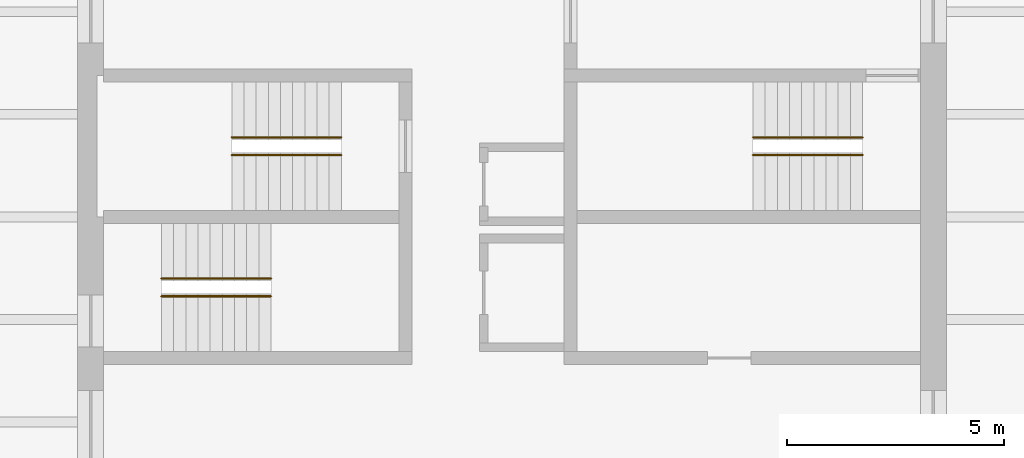
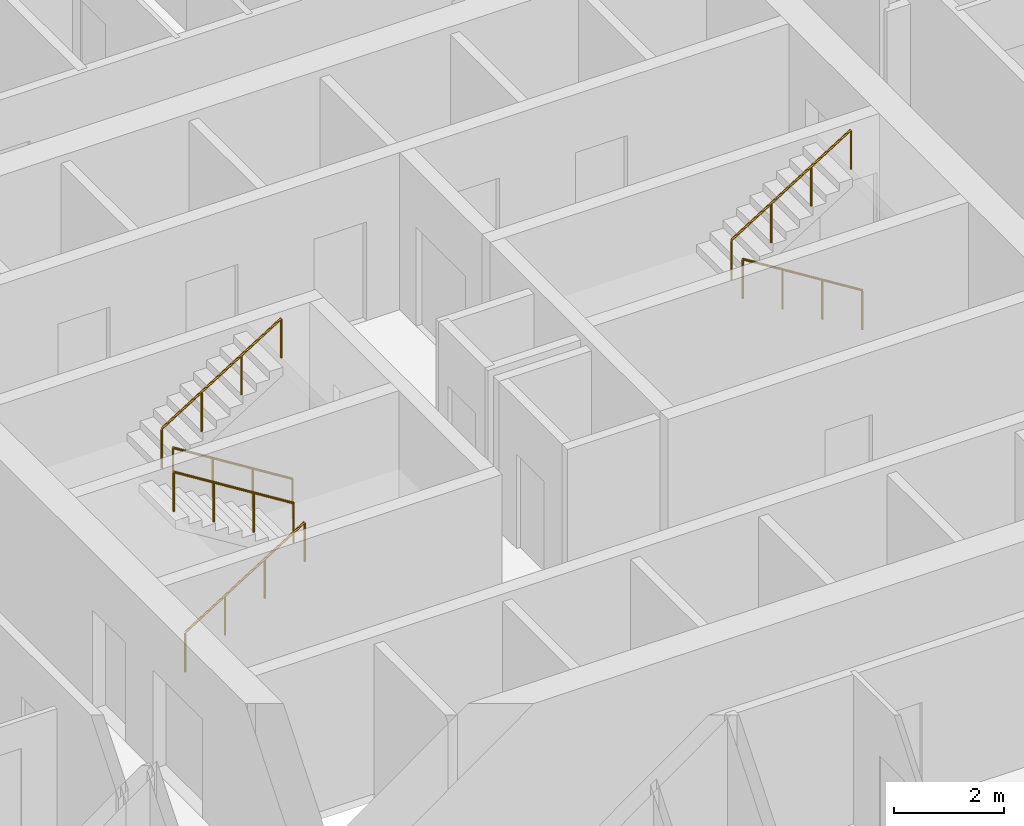
# One storey, part 9 of 9: 6 railings.
"""IFC4 building model written with IfcOpenShell, lengths in metres."""

import ifcopenshell
import ifcopenshell.guid

model = None  # the IFC model being written
_history = None  # IfcOwnerHistory: only IFC2X3 demands one
_inside = {}  # id of a spatial element -> (the spatial element, [elements in it])
_under = {}  # id of a project, library or spatial element -> (it, [spatial elements below it])
_declared = {}  # id of a project -> (the project, [libraries it declares])
_typed = {}  # id of a type object -> (the type object, [elements of that type])
_made_of = {}  # id of a material, layer set ... -> (it, [elements and type objects made of it])


def new_model(schema):
    """Start an empty IFC model of exactly this schema.

    Asked for "IFC4X3", IfcOpenShell would pick the latest addendum, in which some entities
    have other attributes; the version numbers below select the first issue.
    IFC2X3 requires an IfcOwnerHistory on every rooted entity: one is made here for all.
    """
    global model, _history
    if schema == "IFC4X3":
        model = ifcopenshell.file(schema_version=(4, 3, 0, 0))
    else:
        model = ifcopenshell.file(schema=schema)
    _inside.clear()
    _under.clear()
    _declared.clear()
    _typed.clear()
    _made_of.clear()
    _history = None
    if model.schema == "IFC2X3":
        org = make("IfcOrganization", Name="unknown")
        user = make(
            "IfcPersonAndOrganization",
            ThePerson=make("IfcPerson", FamilyName="unknown"),
            TheOrganization=org,
        )
        app = make(
            "IfcApplication",
            ApplicationDeveloper=org,
            Version="unknown",
            ApplicationFullName="unknown",
            ApplicationIdentifier="unknown",
        )
        _history = make(
            "IfcOwnerHistory",
            OwningUser=user,
            OwningApplication=app,
            ChangeAction="ADDED",
            CreationDate=0,
        )
    return model


def make(cls, **values):
    """One entity of the class cls with the attributes given. An attribute that is None is left unset."""
    return model.create_entity(
        cls, **{name: value for name, value in values.items() if value is not None}
    )


def rooted(cls, **values):
    """An entity with a GlobalId (a new one), such as an element, a storey or a relation."""
    return make(cls, GlobalId=ifcopenshell.guid.new(), OwnerHistory=_history, **values)


def si_unit(unit_type, name, prefix=None):
    """IfcSIUnit, for example si_unit("LENGTHUNIT", "METRE", prefix="MILLI")."""
    return make("IfcSIUnit", UnitType=unit_type, Prefix=prefix, Name=name)


def assignment(units):
    """IfcUnitAssignment: the units of a project."""
    return None if units is None else make("IfcUnitAssignment", Units=units)


def point(xyz):
    """IfcCartesianPoint."""
    return None if xyz is None else make("IfcCartesianPoint", Coordinates=xyz)


def direction(xyz):
    """IfcDirection."""
    return None if xyz is None else make("IfcDirection", DirectionRatios=xyz)


def frame(location, z_axis=None, x_axis=None):
    """IfcAxis2Placement3D, a coordinate frame: its origin and axes. An axis left out is left unset."""
    return make(
        "IfcAxis2Placement3D",
        Location=point(location),
        Axis=direction(z_axis),
        RefDirection=direction(x_axis),
    )


def frame_2d(location, x_axis=None):
    """IfcAxis2Placement2D, a coordinate frame in the plane: its origin and x axis."""
    return make(
        "IfcAxis2Placement2D", Location=point(location), RefDirection=direction(x_axis)
    )


def origin():
    """The frame at (0, 0, 0) with its axes left unset."""
    return frame((0.0, 0.0, 0.0))


def origin_2d():
    """The frame at (0, 0) in the plane with its x axis left unset."""
    return frame_2d((0.0, 0.0))


def place(relative_to, where):
    """IfcLocalPlacement: puts the frame where relative to a parent placement (None: the world)."""
    return make(
        "IfcLocalPlacement", PlacementRelTo=relative_to, RelativePlacement=where
    )


def context(
    kind, dimensions, precision=None, world=None, true_north=None, identifier=None
):
    """IfcGeometricRepresentationContext, for example the 3D "Model" context."""
    return make(
        "IfcGeometricRepresentationContext",
        ContextIdentifier=identifier,
        ContextType=kind,
        CoordinateSpaceDimension=dimensions,
        Precision=precision,
        WorldCoordinateSystem=world,
        TrueNorth=true_north,
    )


def subcontext(parent, identifier, kind, view, scale=None):
    """IfcGeometricRepresentationSubContext, for example "Body" below "Model"."""
    return make(
        "IfcGeometricRepresentationSubContext",
        ContextIdentifier=identifier,
        ContextType=kind,
        ParentContext=parent,
        TargetScale=scale,
        TargetView=view,
    )


def project(units=None, contexts=None):
    """IfcProject with its units and contexts."""
    return rooted(
        "IfcProject",
        Name="project",
        RepresentationContexts=contexts,
        UnitsInContext=assignment(units),
    )


def spatial(cls, under=None, at=None, **own):
    """A site, building, storey or space (cls), placed at a placement, below another one or the project."""
    s = rooted(cls, ObjectPlacement=at, **own)
    if under is not None:
        _under.setdefault(under.id(), (under, []))[1].append(s)
    return s


def profile(cls, at=None, kind="AREA", **sizes):
    """A parametric profile (cls). Its sizes go by their IFC names, for example OverallWidth=200.0."""
    return make(cls, ProfileType=kind, Position=at, **sizes)


def circle(**sizes):
    """IfcCircleProfileDef."""
    return profile("IfcCircleProfileDef", **sizes)


def extrude(swept, where, along, depth):
    """IfcExtrudedAreaSolid: the profile swept, set in the frame where, extruded along a direction by depth."""
    return make(
        "IfcExtrudedAreaSolid",
        SweptArea=swept,
        Position=where,
        ExtrudedDirection=direction(along),
        Depth=depth,
    )


def shape(context_of_items, identifier, shape_type, items):
    """IfcShapeRepresentation: the items that make up one representation, for example the "Body"."""
    return make(
        "IfcShapeRepresentation",
        ContextOfItems=context_of_items,
        RepresentationIdentifier=identifier,
        RepresentationType=shape_type,
        Items=items,
    )


def material(Name=None, Category=None):
    """IfcMaterial."""
    return make("IfcMaterial", Name=Name, Category=Category)


def made_of(thing, what):
    """Note that an element or type object is made of a material, layer set ...; save() writes the relation."""
    if what is not None:
        _made_of.setdefault(what.id(), (what, []))[1].append(thing)
    return thing


def type_object(cls, material=None, **own):
    """A type object (cls), such as IfcWallType, which elements share."""
    return made_of(rooted(cls, **own), material)


def element(
    cls,
    number,
    at=None,
    inside=None,
    cuts=None,
    type_object=None,
    material=None,
    context=None,
    identifier="Body",
    shape_type=None,
    held_by="IfcProductDefinitionShape",
    body=None,
    shapes=None,
    **own,
):
    """One element of the class cls, such as IfcWall. Its Tag is "e" and its number.

    at: its placement. inside: the storey or other place that contains it. cuts: it is an
    opening in that element (IfcRelVoidsElement). A single representation is given by context,
    identifier, shape_type and body (its items); several are given by shapes. held_by: the class
    of the entity that holds the representations. save() writes the other relations.
    """
    e = rooted(cls, Tag="e%d" % number, ObjectPlacement=at, **own)
    if body is not None:
        shapes = [shape(context, identifier, shape_type, body)]
    if shapes is not None:
        e.Representation = make(held_by, Representations=shapes)
    if inside is not None:
        _inside.setdefault(inside.id(), (inside, []))[1].append(e)
    if cuts is not None:
        rooted(
            "IfcRelVoidsElement", RelatingBuildingElement=cuts, RelatedOpeningElement=e
        )
    if type_object is not None:
        _typed.setdefault(type_object.id(), (type_object, []))[1].append(e)
    return made_of(e, material)


def aggregate(whole, parts):
    """IfcRelAggregates: a whole, such as a stair, and the parts it consists of."""
    return rooted("IfcRelAggregates", RelatingObject=whole, RelatedObjects=parts)


def save(model, path):
    """Write the relations noted so far, then the file.

    IfcRelAggregates (storeys below a building ...), IfcRelContainedInSpatialStructure (elements
    in a storey), IfcRelDefinesByType, IfcRelAssociatesMaterial and IfcRelDeclares: one each for
    every whole, place, type object, material and project.
    """
    for whole, parts in _under.values():
        aggregate(whole, parts)
    for where, things in _inside.values():
        rooted(
            "IfcRelContainedInSpatialStructure",
            RelatedElements=things,
            RelatingStructure=where,
        )
    for kind, things in _typed.values():
        rooted("IfcRelDefinesByType", RelatedObjects=things, RelatingType=kind)
    for what, things in _made_of.values():
        rooted("IfcRelAssociatesMaterial", RelatedObjects=things, RelatingMaterial=what)
    for by, libraries in _declared.values():
        rooted("IfcRelDeclares", RelatingContext=by, RelatedDefinitions=libraries)
    model.write(path)


model = new_model("IFC4")

# Units and contexts
model_context = context("Model", 3, precision=1e-05, world=origin(), true_north=direction((0.0, 1.0)))
body_context = subcontext(model_context, "Body", "Model", "MODEL_VIEW")
ifc_project = project(units=[si_unit("LENGTHUNIT", "METRE"), si_unit("AREAUNIT", "SQUARE_METRE"), si_unit("VOLUMEUNIT", "CUBIC_METRE"), si_unit("PLANEANGLEUNIT", "RADIAN"), si_unit("MASSUNIT", "GRAM", prefix="KILO")], contexts=[model_context])

# Site, building, storey
site_placement = place(None, origin())
site = spatial("IfcSite", under=ifc_project, at=site_placement, CompositionType="ELEMENT")
building_placement = place(site_placement, origin())
building = spatial("IfcBuilding", under=site, at=building_placement, Name="Turquesa Mirador Hotel Tower", CompositionType="ELEMENT")
storey_placement = place(building_placement, frame((0.0, 0.0, 56.5)))
storey = spatial("IfcBuildingStorey", under=building, at=storey_placement, Name="L14", CompositionType="ELEMENT", Elevation=56.5)

# Railings
ifc_material = material(Name="Painted steel handrail", Category="steel")
railing_type = type_object("IfcRailingType", Name="HANDRAIL 900 STEEL", PredefinedType="HANDRAIL", material=ifc_material)
railing_1_placement = place(storey_placement, frame((51.070068359375, 46.419921875, 0.175048828125)))
element("IfcRailing", 1, at=railing_1_placement, inside=storey, type_object=railing_type, Name="Handrail ST1", PredefinedType="HANDRAIL", context=body_context, shape_type="SweptSolid", body=[
    extrude(circle(Radius=0.02392578125, at=origin_2d()), frame((0.0, 0.0, 0.8759765625), z_axis=(-0.848007534815, 0.0, 0.529984170421), x_axis=(0.0, -1.0, 0.0)), (0.0, 0.0, 1.0), 2.9716796875),
    extrude(circle(Radius=0.02099609375, at=origin_2d()), origin(), (0.0, 0.0, 1.0), 0.851806640625),
    extrude(circle(Radius=0.02099609375, at=origin_2d()), frame((-0.840087890625, 0.0, 0.52490234375)), (0.0, 0.0, 1.0), 0.851806640625),
    extrude(circle(Radius=0.02099609375, at=origin_2d()), frame((-1.679931640625, 0.0, 1.050048828125)), (0.0, 0.0, 1.0), 0.851806640625),
    extrude(circle(Radius=0.02099609375, at=origin_2d()), frame((-2.52001953125, 0.0, 1.574951171875)), (0.0, 0.0, 1.0), 0.851806640625),
])
for number, where, name in (
    (2, (48.550048828125, 46.830078125, 1.925048828125), "Handrail ST1"),
    (3, (46.929931640625, 43.169921875, 0.175048828125), "Handrail ST2"),
):
    element("IfcRailing", number, at=place(storey_placement, frame(where)), inside=storey, type_object=railing_type, Name=name, PredefinedType="HANDRAIL", context=body_context, shape_type="SweptSolid", body=[
        extrude(circle(Radius=0.02392578125, at=origin_2d()), frame((0.0, 0.0, 0.8759765625), z_axis=(0.848007534815, 0.0, 0.529984170421), x_axis=(0.0, 1.0, 0.0)), (0.0, 0.0, 1.0), 2.9716796875),
        extrude(circle(Radius=0.02099609375, at=origin_2d()), origin(), (0.0, 0.0, 1.0), 0.851806640625),
        extrude(circle(Radius=0.02099609375, at=origin_2d()), frame((0.840087890625, 0.0, 0.52490234375)), (0.0, 0.0, 1.0), 0.851806640625),
        extrude(circle(Radius=0.02099609375, at=origin_2d()), frame((1.679931640625, 0.0, 1.050048828125)), (0.0, 0.0, 1.0), 0.851806640625),
        extrude(circle(Radius=0.02099609375, at=origin_2d()), frame((2.52001953125, 0.0, 1.574951171875)), (0.0, 0.0, 1.0), 0.851806640625),
    ])
for number, where, name in (
    (4, (49.449951171875, 43.580078125, 1.925048828125), "Handrail ST2"),
    (5, (63.070068359375, 46.419921875, 0.175048828125), "Handrail ST3"),
):
    element("IfcRailing", number, at=place(storey_placement, frame(where)), inside=storey, type_object=railing_type, Name=name, PredefinedType="HANDRAIL", context=body_context, shape_type="SweptSolid", body=[
        extrude(circle(Radius=0.02392578125, at=origin_2d()), frame((0.0, 0.0, 0.8759765625), z_axis=(-0.848007534815, 0.0, 0.529984170421), x_axis=(0.0, -1.0, 0.0)), (0.0, 0.0, 1.0), 2.9716796875),
        extrude(circle(Radius=0.02099609375, at=origin_2d()), origin(), (0.0, 0.0, 1.0), 0.851806640625),
        extrude(circle(Radius=0.02099609375, at=origin_2d()), frame((-0.840087890625, 0.0, 0.52490234375)), (0.0, 0.0, 1.0), 0.851806640625),
        extrude(circle(Radius=0.02099609375, at=origin_2d()), frame((-1.679931640625, 0.0, 1.050048828125)), (0.0, 0.0, 1.0), 0.851806640625),
        extrude(circle(Radius=0.02099609375, at=origin_2d()), frame((-2.52001953125, 0.0, 1.574951171875)), (0.0, 0.0, 1.0), 0.851806640625),
    ])
railing_2_placement = place(storey_placement, frame((60.550048828125, 46.830078125, 1.925048828125)))
element("IfcRailing", 6, at=railing_2_placement, inside=storey, type_object=railing_type, Name="Handrail ST3", PredefinedType="HANDRAIL", context=body_context, shape_type="SweptSolid", body=[
    extrude(circle(Radius=0.02392578125, at=origin_2d()), frame((0.0, 0.0, 0.8759765625), z_axis=(0.848007534815, 0.0, 0.529984170421), x_axis=(0.0, 1.0, 0.0)), (0.0, 0.0, 1.0), 2.9716796875),
    extrude(circle(Radius=0.02099609375, at=origin_2d()), origin(), (0.0, 0.0, 1.0), 0.851806640625),
    extrude(circle(Radius=0.02099609375, at=origin_2d()), frame((0.840087890625, 0.0, 0.52490234375)), (0.0, 0.0, 1.0), 0.851806640625),
    extrude(circle(Radius=0.02099609375, at=origin_2d()), frame((1.679931640625, 0.0, 1.050048828125)), (0.0, 0.0, 1.0), 0.851806640625),
    extrude(circle(Radius=0.02099609375, at=origin_2d()), frame((2.52001953125, 0.0, 1.574951171875)), (0.0, 0.0, 1.0), 0.851806640625),
])

save(model, "model.ifc")
